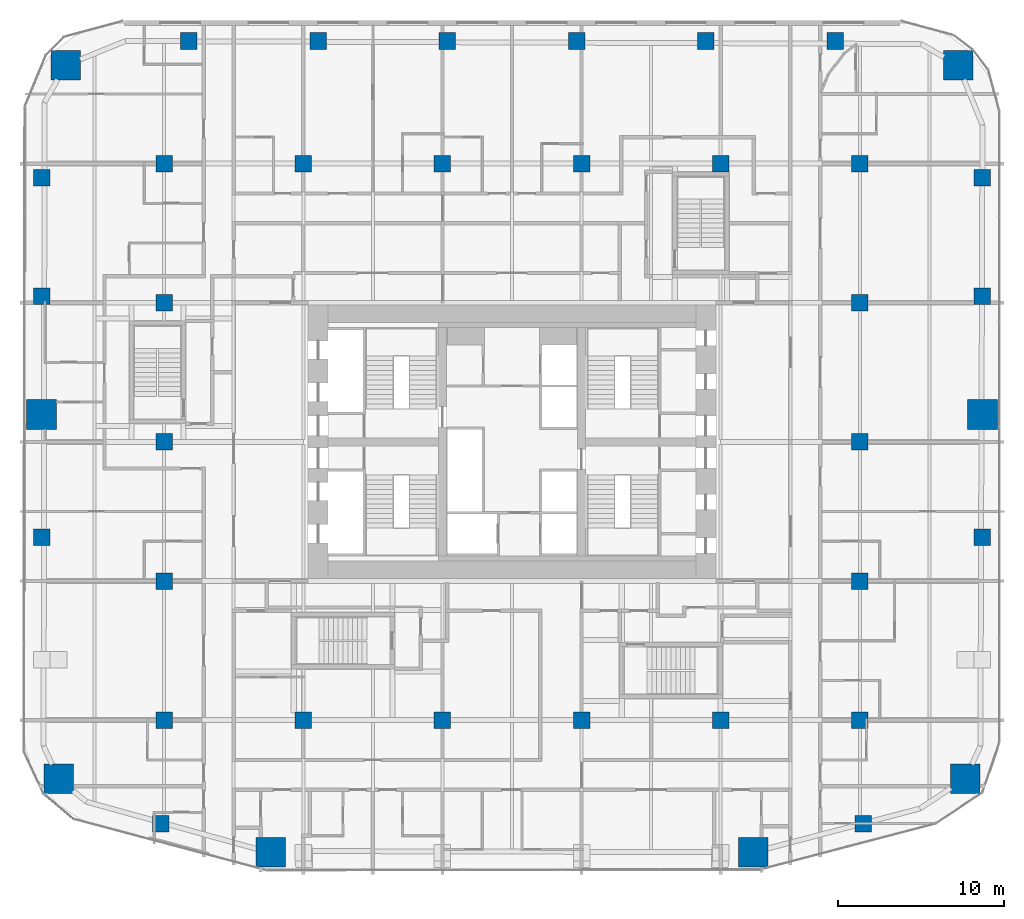
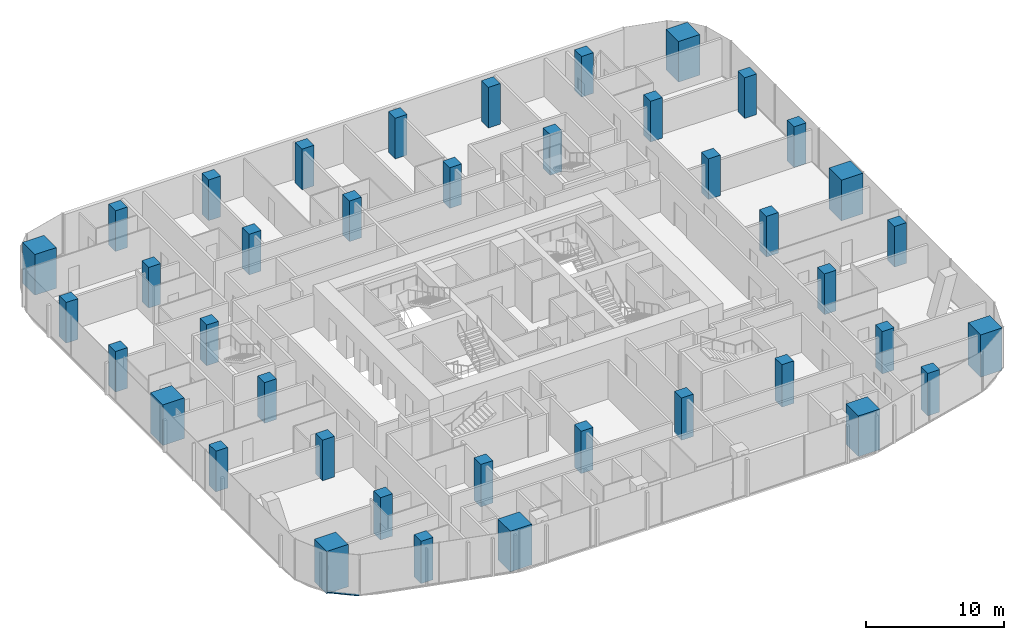
# One storey, part 1 of 27: 40 columns, 1 member, 1 element without a shape of its own.
"""IFC4 building model written with IfcOpenShell, lengths in metres."""

from ifc_helpers import new_model, si_unit, direction, frame, origin, origin_2d, place, context, subcontext, project, spatial, rectangle, extrude, material, layer, layer_set, material_profile, profile_set, type_object, element, aggregate, save


model = new_model("IFC4")

# Units and contexts
model_context = context("Model", 3, precision=1e-05, world=origin(), true_north=direction((0.0, 1.0)))
body_context = subcontext(model_context, "Body", "Model", "MODEL_VIEW")
ifc_project = project(units=[si_unit("LENGTHUNIT", "METRE"), si_unit("AREAUNIT", "SQUARE_METRE"), si_unit("VOLUMEUNIT", "CUBIC_METRE"), si_unit("PLANEANGLEUNIT", "RADIAN"), si_unit("MASSUNIT", "GRAM", prefix="KILO")], contexts=[model_context])

# Site, building, storey
site_placement = place(None, origin())
site = spatial("IfcSite", under=ifc_project, at=site_placement, CompositionType="ELEMENT")
building_placement = place(site_placement, origin())
building = spatial("IfcBuilding", under=site, at=building_placement, Name="Marenta Gate Hotel Tower", CompositionType="ELEMENT")
storey_placement = place(building_placement, frame((0.0, 0.0, 36.5)))
storey = spatial("IfcBuildingStorey", under=building, at=storey_placement, Name="L06", CompositionType="ELEMENT", Elevation=36.5)

# Columns
ifc_material_1 = material(Name="Concrete C80", Category="concrete")
ifc_material_profile_1 = material_profile(ifc_material_1, rectangle(XDim=1.0, YDim=1.0, at=origin_2d()), Name="1000 x 1000")
ifc_profile_set_1 = profile_set([ifc_material_profile_1], Name="Concrete C80")
column_type_1 = type_object("IfcColumnType", Name="Edge column 1000 x 1000 C80", PredefinedType="COLUMN", material=ifc_profile_set_1)
for number, where, z_axis, x_axis, name in (
    (1, (-28.39990234375, 2.649169921875, 0.0), (0.0, 0.0, 1.0), (1.0, 0.0, 0.0), "L06-EC-SW-W-2"),
    (2, (-28.39990234375, 17.203125, 0.0), (0.0, 0.0, 1.0), (1.0, 0.0, 0.0), "L06-EC-W-NW-1"),
    (3, (-28.39990234375, 24.3564453125, 0.0), (0.0, 0.0, 1.0), (1.0, 0.0, 0.0), "L06-EC-W-NW-2"),
    (4, (-19.5068359375, 32.60009765625, 0.0), (0.0, 0.0, 1.0), (1.0, 0.0, 0.0), "L06-EC-NW-NE-1"),
    (5, (-11.7041015625, 32.60009765625, 0.0), (0.0, 0.0, 1.0), (1.0, 0.0, 0.0), "L06-EC-NW-NE-2"),
    (6, (-3.9013671875, 32.60009765625, 0.0), (0.0, 0.0, 1.0), (1.0, 0.0, 0.0), "L06-EC-NW-NE-3"),
    (7, (3.9013671875, 32.60009765625, 0.0), (0.0, 0.0, 1.0), (1.0, 0.0, 0.0), "L06-EC-NW-NE-4"),
    (8, (11.7041015625, 32.60009765625, 0.0), (0.0, 0.0, 1.0), (1.0, 0.0, 0.0), "L06-EC-NW-NE-5"),
    (9, (19.5068359375, 32.60009765625, 0.0), (0.0, 0.0, 1.0), (1.0, 0.0, 0.0), "L06-EC-NW-NE-6"),
    (10, (28.39990234375, 24.3564453125, 0.0), (0.0, 0.0, 1.0), (1.0, 0.0, 0.0), "L06-EC-NE-E-1"),
    (11, (28.39990234375, 17.203125, 0.0), (0.0, 0.0, 1.0), (1.0, 0.0, 0.0), "L06-EC-NE-E-2"),
    (12, (28.39990234375, 2.649169921875, 0.0), (0.0, 0.0, 1.0), (1.0, 0.0, 0.0), "L06-EC-E-SE-1"),
):
    element("IfcColumn", number, at=place(storey_placement, frame(where, z_axis=z_axis, x_axis=x_axis)), inside=storey, type_object=column_type_1, Name=name, PredefinedType="COLUMN", context=body_context, shape_type="SweptSolid", body=[
        extrude(rectangle(XDim=1.0, YDim=1.0, at=origin_2d()), origin(), (0.0, 0.0, 1.0), 3.60009765625),
    ])
for number, where, z_axis, x_axis, name in (
    (13, (21.206787109375, -14.63916015625, -0.14990234375), (0.0, 0.0, 1.0), (1.0, 0.0, 0.0), "L06-EC-SE-SKE-1"),
    (14, (-21.206787109375, -14.63916015625, -0.14990234375), (0.0, 0.0, 1.0), (1.0, 0.0, 0.0), "L06-EC-SKW-SW-1"),
):
    element("IfcColumn", number, at=place(storey_placement, frame(where, z_axis=z_axis, x_axis=x_axis)), inside=storey, type_object=column_type_1, Name=name, PredefinedType="COLUMN", context=body_context, shape_type="SweptSolid", body=[
        extrude(rectangle(XDim=1.0, YDim=1.0, at=origin_2d()), origin(), (0.0, 0.0, 1.0), 3.75),
    ])
ifc_material_2 = material(Name="Concrete C80", Category="concrete")
ifc_material_profile_2 = material_profile(ifc_material_2, rectangle(XDim=1.0, YDim=1.0, at=origin_2d()), Name="1000 x 1000")
ifc_profile_set_2 = profile_set([ifc_material_profile_2], Name="Concrete C80")
column_type_2 = type_object("IfcColumnType", Name="Interior column 1000 x 1000 C80", PredefinedType="COLUMN", material=ifc_profile_set_2)
column_1_placement = place(storey_placement, frame((-21.0, -8.39990234375, -0.14990234375), z_axis=(0.0, 0.0, 1.0), x_axis=(1.0, 0.0, 0.0)))
element("IfcColumn", 15, at=column_1_placement, inside=storey, type_object=column_type_2, Name="L06-IC-4E", PredefinedType="COLUMN", context=body_context, shape_type="SweptSolid", body=[
    extrude(rectangle(XDim=1.0, YDim=1.0, at=origin_2d()), origin(), (0.0, 0.0, 1.0), 3.75),
])
for number, where, z_axis, x_axis, name in (
    (16, (-21.0, 0.0, 0.0), (0.0, 0.0, 1.0), (1.0, 0.0, 0.0), "L06-IC-4F"),
    (17, (-21.0, 8.39990234375, 0.0), (0.0, 0.0, 1.0), (1.0, 0.0, 0.0), "L06-IC-4G"),
    (18, (-21.0, 16.800048828125, 0.0), (0.0, 0.0, 1.0), (1.0, 0.0, 0.0), "L06-IC-4H"),
    (19, (-21.0, 25.199951171875, 0.0), (0.0, 0.0, 1.0), (1.0, 0.0, 0.0), "L06-IC-4I"),
):
    element("IfcColumn", number, at=place(storey_placement, frame(where, z_axis=z_axis, x_axis=x_axis)), inside=storey, type_object=column_type_2, Name=name, PredefinedType="COLUMN", context=body_context, shape_type="SweptSolid", body=[
        extrude(rectangle(XDim=1.0, YDim=1.0, at=origin_2d()), origin(), (0.0, 0.0, 1.0), 3.60009765625),
    ])
column_2_placement = place(storey_placement, frame((-12.60009765625, -8.39990234375, -0.14990234375), z_axis=(0.0, 0.0, 1.0), x_axis=(1.0, 0.0, 0.0)))
element("IfcColumn", 20, at=column_2_placement, inside=storey, type_object=column_type_2, Name="L06-IC-5E", PredefinedType="COLUMN", context=body_context, shape_type="SweptSolid", body=[
    extrude(rectangle(XDim=1.0, YDim=1.0, at=origin_2d()), origin(), (0.0, 0.0, 1.0), 3.75),
])
column_3_placement = place(storey_placement, frame((-12.60009765625, 25.199951171875, 0.0), z_axis=(0.0, 0.0, 1.0), x_axis=(1.0, 0.0, 0.0)))
element("IfcColumn", 21, at=column_3_placement, inside=storey, type_object=column_type_2, Name="L06-IC-5I", PredefinedType="COLUMN", context=body_context, shape_type="SweptSolid", body=[
    extrude(rectangle(XDim=1.0, YDim=1.0, at=origin_2d()), origin(), (0.0, 0.0, 1.0), 3.60009765625),
])
column_4_placement = place(storey_placement, frame((-4.199951171875, -8.39990234375, -0.14990234375), z_axis=(0.0, 0.0, 1.0), x_axis=(1.0, 0.0, 0.0)))
element("IfcColumn", 22, at=column_4_placement, inside=storey, type_object=column_type_2, Name="L06-IC-6E", PredefinedType="COLUMN", context=body_context, shape_type="SweptSolid", body=[
    extrude(rectangle(XDim=1.0, YDim=1.0, at=origin_2d()), origin(), (0.0, 0.0, 1.0), 3.75),
])
column_5_placement = place(storey_placement, frame((-4.199951171875, 25.199951171875, 0.0), z_axis=(0.0, 0.0, 1.0), x_axis=(1.0, 0.0, 0.0)))
element("IfcColumn", 23, at=column_5_placement, inside=storey, type_object=column_type_2, Name="L06-IC-6I", PredefinedType="COLUMN", context=body_context, shape_type="SweptSolid", body=[
    extrude(rectangle(XDim=1.0, YDim=1.0, at=origin_2d()), origin(), (0.0, 0.0, 1.0), 3.60009765625),
])
column_6_placement = place(storey_placement, frame((4.199951171875, -8.39990234375, -0.14990234375), z_axis=(0.0, 0.0, 1.0), x_axis=(1.0, 0.0, 0.0)))
element("IfcColumn", 24, at=column_6_placement, inside=storey, type_object=column_type_2, Name="L06-IC-7E", PredefinedType="COLUMN", context=body_context, shape_type="SweptSolid", body=[
    extrude(rectangle(XDim=1.0, YDim=1.0, at=origin_2d()), origin(), (0.0, 0.0, 1.0), 3.75),
])
column_7_placement = place(storey_placement, frame((4.199951171875, 25.199951171875, 0.0), z_axis=(0.0, 0.0, 1.0), x_axis=(1.0, 0.0, 0.0)))
element("IfcColumn", 25, at=column_7_placement, inside=storey, type_object=column_type_2, Name="L06-IC-7I", PredefinedType="COLUMN", context=body_context, shape_type="SweptSolid", body=[
    extrude(rectangle(XDim=1.0, YDim=1.0, at=origin_2d()), origin(), (0.0, 0.0, 1.0), 3.60009765625),
])
column_8_placement = place(storey_placement, frame((12.60009765625, -8.39990234375, -0.14990234375), z_axis=(0.0, 0.0, 1.0), x_axis=(1.0, 0.0, 0.0)))
element("IfcColumn", 26, at=column_8_placement, inside=storey, type_object=column_type_2, Name="L06-IC-8E", PredefinedType="COLUMN", context=body_context, shape_type="SweptSolid", body=[
    extrude(rectangle(XDim=1.0, YDim=1.0, at=origin_2d()), origin(), (0.0, 0.0, 1.0), 3.75),
])
column_9_placement = place(storey_placement, frame((12.60009765625, 25.199951171875, 0.0), z_axis=(0.0, 0.0, 1.0), x_axis=(1.0, 0.0, 0.0)))
element("IfcColumn", 27, at=column_9_placement, inside=storey, type_object=column_type_2, Name="L06-IC-8I", PredefinedType="COLUMN", context=body_context, shape_type="SweptSolid", body=[
    extrude(rectangle(XDim=1.0, YDim=1.0, at=origin_2d()), origin(), (0.0, 0.0, 1.0), 3.60009765625),
])
column_10_placement = place(storey_placement, frame((21.0, -8.39990234375, -0.14990234375), z_axis=(0.0, 0.0, 1.0), x_axis=(1.0, 0.0, 0.0)))
element("IfcColumn", 28, at=column_10_placement, inside=storey, type_object=column_type_2, Name="L06-IC-9E", PredefinedType="COLUMN", context=body_context, shape_type="SweptSolid", body=[
    extrude(rectangle(XDim=1.0, YDim=1.0, at=origin_2d()), origin(), (0.0, 0.0, 1.0), 3.75),
])
for number, where, z_axis, x_axis, name in (
    (29, (21.0, 0.0, 0.0), (0.0, 0.0, 1.0), (1.0, 0.0, 0.0), "L06-IC-9F"),
    (30, (21.0, 8.39990234375, 0.0), (0.0, 0.0, 1.0), (1.0, 0.0, 0.0), "L06-IC-9G"),
    (31, (21.0, 16.800048828125, 0.0), (0.0, 0.0, 1.0), (1.0, 0.0, 0.0), "L06-IC-9H"),
    (32, (21.0, 25.199951171875, 0.0), (0.0, 0.0, 1.0), (1.0, 0.0, 0.0), "L06-IC-9I"),
):
    element("IfcColumn", number, at=place(storey_placement, frame(where, z_axis=z_axis, x_axis=x_axis)), inside=storey, type_object=column_type_2, Name=name, PredefinedType="COLUMN", context=body_context, shape_type="SweptSolid", body=[
        extrude(rectangle(XDim=1.0, YDim=1.0, at=origin_2d()), origin(), (0.0, 0.0, 1.0), 3.60009765625),
    ])
ifc_material_3 = material(Name="Concrete C80", Category="concrete")
ifc_material_profile_3 = material_profile(ifc_material_3, rectangle(XDim=1.800048828125, YDim=1.800048828125, at=origin_2d()), Name="1800 x 1800")
ifc_profile_set_3 = profile_set([ifc_material_profile_3], Name="Concrete C80")
column_type_3 = type_object("IfcColumnType", Name="Mega column 1800 x 1800 C80", PredefinedType="COLUMN", material=ifc_profile_set_3)
column_11_placement = place(storey_placement, frame((-27.363037109375, -11.93310546875, -0.14990234375), z_axis=(0.0, 0.0, 1.0), x_axis=(1.0, 0.0, 0.0)))
element("IfcColumn", 33, at=column_11_placement, inside=storey, type_object=column_type_3, Name="L06-MC-SW", PredefinedType="COLUMN", context=body_context, shape_type="SweptSolid", body=[
    extrude(rectangle(XDim=1.800048828125, YDim=1.800048828125, at=origin_2d()), origin(), (0.0, 0.0, 1.0), 3.75),
])
for number, where, z_axis, x_axis, name in (
    (34, (-14.56640625, -16.374755859375, 0.0), (0.0, 0.0, 1.0), (1.0, 0.0, 0.0), "L06-MC-SKW"),
    (35, (14.56640625, -16.374755859375, 0.0), (0.0, 0.0, 1.0), (1.0, 0.0, 0.0), "L06-MC-SKE"),
):
    element("IfcColumn", number, at=place(storey_placement, frame(where, z_axis=z_axis, x_axis=x_axis)), inside=storey, type_object=column_type_3, Name=name, PredefinedType="COLUMN", context=body_context, shape_type="SweptSolid", body=[
        extrude(rectangle(XDim=1.800048828125, YDim=1.800048828125, at=origin_2d()), origin(), (0.0, 0.0, 1.0), 3.60009765625),
    ])
column_12_placement = place(storey_placement, frame((27.363037109375, -11.93310546875, -0.14990234375), z_axis=(0.0, 0.0, 1.0), x_axis=(1.0, 0.0, 0.0)))
element("IfcColumn", 36, at=column_12_placement, inside=storey, type_object=column_type_3, Name="L06-MC-SE", PredefinedType="COLUMN", context=body_context, shape_type="SweptSolid", body=[
    extrude(rectangle(XDim=1.800048828125, YDim=1.800048828125, at=origin_2d()), origin(), (0.0, 0.0, 1.0), 3.75),
])
for number, where, z_axis, x_axis, name in (
    (37, (28.39990234375, 10.050048828125, 0.0), (0.0, 0.0, 1.0), (1.0, 0.0, 0.0), "L06-MC-E"),
    (38, (26.935546875, 31.135498046875, 0.0), (0.0, 0.0, 1.0), (1.0, 0.0, 0.0), "L06-MC-NE"),
    (39, (-26.935546875, 31.135498046875, 0.0), (0.0, 0.0, 1.0), (1.0, 0.0, 0.0), "L06-MC-NW"),
    (40, (-28.39990234375, 10.050048828125, 0.0), (0.0, 0.0, 1.0), (1.0, 0.0, 0.0), "L06-MC-W"),
):
    element("IfcColumn", number, at=place(storey_placement, frame(where, z_axis=z_axis, x_axis=x_axis)), inside=storey, type_object=column_type_3, Name=name, PredefinedType="COLUMN", context=body_context, shape_type="SweptSolid", body=[
        extrude(rectangle(XDim=1.800048828125, YDim=1.800048828125, at=origin_2d()), origin(), (0.0, 0.0, 1.0), 3.60009765625),
    ])

# Curtain wall, member
ifc_material_4 = material(Name="Tinted insulated glass in bronze anodised frame", Category="glass")
ifc_layer = layer(ifc_material_4, 0.1201171875)
ifc_layer_set = layer_set([ifc_layer], Name="Tinted insulated glass in bronze anodised frame")
curtain_wall_type = type_object("IfcCurtainWallType", Name="Tower unitised curtain wall CW1", PredefinedType="NOTDEFINED", material=ifc_layer_set)
curtain_wall_placement = place(storey_placement, origin())
curtain_wall = element("IfcCurtainWall", 41, at=curtain_wall_placement, inside=storey, type_object=curtain_wall_type, Name="CW1 run G05", PredefinedType="NOTDEFINED")
ifc_material_5 = material(Name="Bronze anodised aluminium", Category="aluminium")
ifc_material_profile_4 = material_profile(ifc_material_5, rectangle(XDim=0.1201171875, YDim=0.06005859375, at=origin_2d()), Name="Transom CW1 60x120 bronze anodised aluminium")
ifc_profile_set_4 = profile_set([ifc_material_profile_4], Name="Bronze anodised aluminium")
member_type = type_object("IfcMemberType", Name="Transom CW1 60x120 bronze anodised aluminium", PredefinedType="USERDEFINED", material=ifc_profile_set_4)
member_placement = place(storey_placement, frame((-28.228271484375, -12.880126953125, 0.030029296875), z_axis=(0.767079699321, -0.641551817775, 0.0), x_axis=(0.641551817775, 0.767079699321, 0.0)))
member = element("IfcMember", 42, at=member_placement, type_object=member_type, Name="CW1 transom 1.1", ObjectType="TRANSOM", PredefinedType="USERDEFINED", context=body_context, shape_type="SweptSolid", body=[
    extrude(rectangle(XDim=0.1201171875, YDim=0.06005859375, at=origin_2d()), origin(), (0.0, 0.0, 1.0), 2.31640625),
])
aggregate(curtain_wall, [member])

save(model, "model.ifc")
